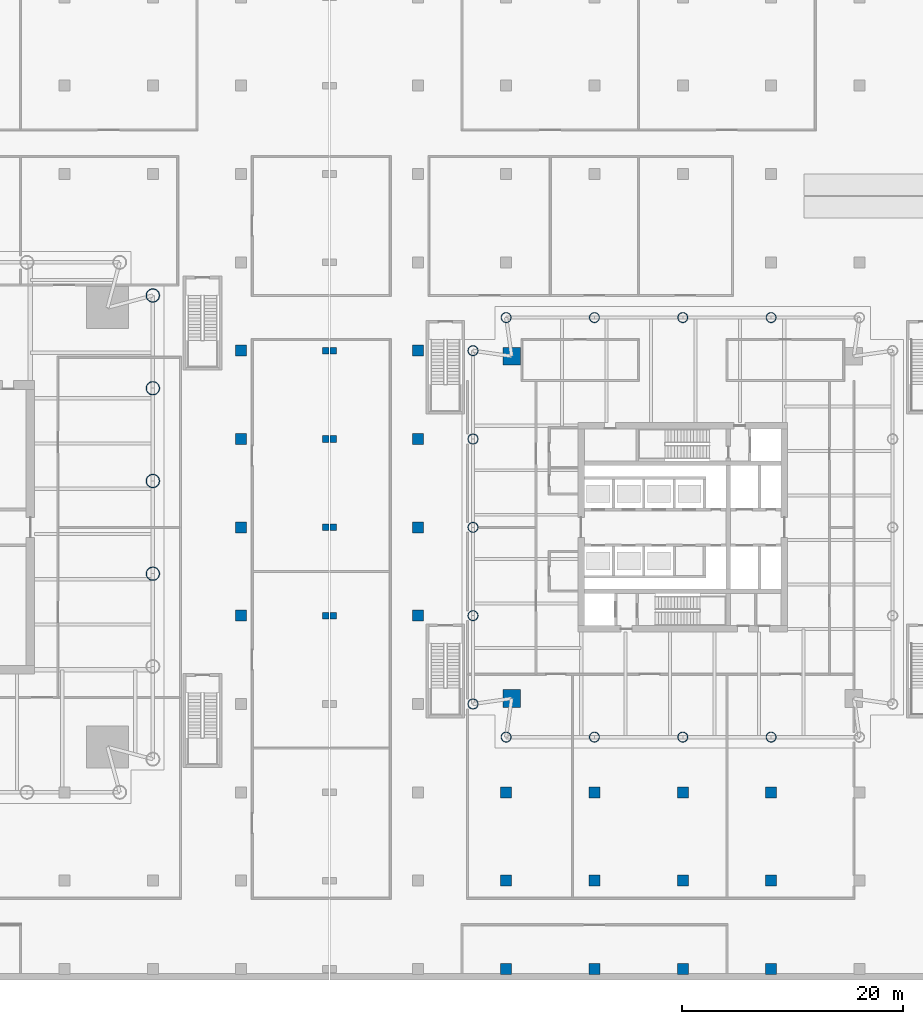
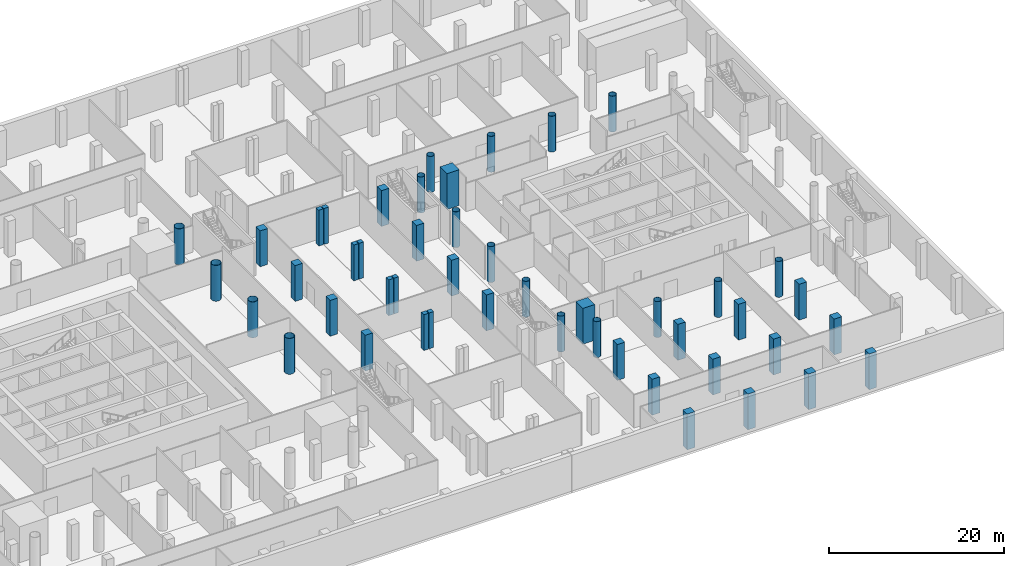
# One storey, part 2 of 22: 47 columns.
"""IFC4 building model written with IfcOpenShell, lengths in metres."""

from ifc_helpers import new_model, si_unit, direction, frame, origin, origin_2d, place, context, subcontext, project, spatial, rectangle, hollow_circle, extrude, material, material_profile, profile_set, type_object, element, save


model = new_model("IFC4")

# Units and contexts
model_context = context("Model", 3, precision=1e-05, world=origin(), true_north=direction((0.0, 1.0)))
body_context = subcontext(model_context, "Body", "Model", "MODEL_VIEW")
ifc_project = project(units=[si_unit("LENGTHUNIT", "METRE"), si_unit("AREAUNIT", "SQUARE_METRE"), si_unit("VOLUMEUNIT", "CUBIC_METRE"), si_unit("PLANEANGLEUNIT", "RADIAN"), si_unit("MASSUNIT", "GRAM", prefix="KILO")], contexts=[model_context])

# Site, building, storey
site_placement = place(None, origin())
site = spatial("IfcSite", under=ifc_project, at=site_placement, CompositionType="ELEMENT")
building_placement = place(site_placement, origin())
building = spatial("IfcBuilding", under=site, at=building_placement, Name="Ostroluk Exchange", CompositionType="ELEMENT")
storey_placement = place(building_placement, frame((0.0, 0.0, -5.0)))
storey = spatial("IfcBuildingStorey", under=building, at=storey_placement, Name="B1", CompositionType="ELEMENT", Elevation=-5.0)

# Columns
ifc_material_1 = material(Name="Concrete C50/60", Category="concrete")
ifc_material_profile_1 = material_profile(ifc_material_1, rectangle(XDim=1.60009765625, YDim=1.60009765625, at=origin_2d()), Name="RC 1600x1600")
ifc_profile_set_1 = profile_set([ifc_material_profile_1], Name="Concrete C50/60")
column_type_1 = type_object("IfcColumnType", Name="Mega column RC 1600x1600", PredefinedType="COLUMN", material=ifc_profile_set_1)
for number, where, z_axis, x_axis, name in (
    (1, (101.5, 61.5, 0.0), (0.0, 0.0, 1.0), (1.0, 0.0, 0.0), "T2 mega column NW"),
    (2, (101.5, 30.5, 0.0), (0.0, 0.0, 1.0), (1.0, 0.0, 0.0), "T2 mega column SW"),
):
    element("IfcColumn", number, at=place(storey_placement, frame(where, z_axis=z_axis, x_axis=x_axis)), inside=storey, type_object=column_type_1, Name=name, PredefinedType="COLUMN", context=body_context, shape_type="SweptSolid", body=[
        extrude(rectangle(XDim=1.60009765625, YDim=1.60009765625, at=origin_2d()), origin(), (0.0, 0.0, 1.0), 5.0),
    ])
ifc_material_2 = material(Name="Steel S460", Category="steel")
ifc_material_profile_2 = material_profile(ifc_material_2, hollow_circle(Radius=0.609619140625, WallThickness=0.0400390625, at=origin_2d()), Name="CHS 1219x40")
ifc_profile_set_2 = profile_set([ifc_material_profile_2], Name="Steel S460")
column_type_2 = type_object("IfcColumnType", Name="Perimeter column CHS 1219x40", PredefinedType="COLUMN", material=ifc_profile_set_2)
for number, where, z_axis, x_axis, name in (
    (3, (69.0, 67.0, 0.0), (0.0, 0.0, 1.0), (1.0, 0.0, 0.0), "T1 east face column E1"),
    (4, (69.0, 41.800048828125, 0.0), (0.0, 0.0, 1.0), (1.0, 0.0, 0.0), "T1 east face column I2"),
    (5, (69.0, 50.199951171875, 0.0), (0.0, 0.0, 1.0), (1.0, 0.0, 0.0), "T1 east face column I3"),
    (6, (69.0, 58.60009765625, 0.0), (0.0, 0.0, 1.0), (1.0, 0.0, 0.0), "T1 east face column I4"),
):
    element("IfcColumn", number, at=place(storey_placement, frame(where, z_axis=z_axis, x_axis=x_axis)), inside=storey, type_object=column_type_2, Name=name, PredefinedType="COLUMN", context=body_context, shape_type="SweptSolid", body=[
        extrude(hollow_circle(Radius=0.609619140625, WallThickness=0.0400390625, at=origin_2d()), origin(), (0.0, 0.0, 1.0), 5.0),
    ])
ifc_material_3 = material(Name="Steel S460", Category="steel")
ifc_material_profile_3 = material_profile(ifc_material_3, hollow_circle(Radius=0.45703125, WallThickness=0.030029296875, at=origin_2d()), Name="CHS 914x30")
ifc_profile_set_3 = profile_set([ifc_material_profile_3], Name="Steel S460")
column_type_3 = type_object("IfcColumnType", Name="Perimeter column CHS 914x30", PredefinedType="COLUMN", material=ifc_profile_set_3)
for number, where, z_axis, x_axis, name in (
    (7, (101.0, 65.0, 0.0), (0.0, 0.0, 1.0), (1.0, 0.0, 0.0), "T2 north face column E1"),
    (8, (125.0, 65.0, 0.0), (0.0, 0.0, 1.0), (1.0, 0.0, 0.0), "T2 north face column I1"),
    (9, (117.0, 65.0, 0.0), (0.0, 0.0, 1.0), (1.0, 0.0, 0.0), "T2 north face column I2"),
    (10, (109.0, 65.0, 0.0), (0.0, 0.0, 1.0), (1.0, 0.0, 0.0), "T2 north face column I3"),
    (11, (98.0, 62.0, 0.0), (0.0, 0.0, 1.0), (1.0, 0.0, 0.0), "T2 west face column E0"),
    (12, (98.0, 30.0, 0.0), (0.0, 0.0, 1.0), (1.0, 0.0, 0.0), "T2 west face column E1"),
    (13, (98.0, 54.0, 0.0), (0.0, 0.0, 1.0), (1.0, 0.0, 0.0), "T2 west face column I1"),
    (14, (98.0, 46.0, 0.0), (0.0, 0.0, 1.0), (1.0, 0.0, 0.0), "T2 west face column I2"),
    (15, (98.0, 38.0, 0.0), (0.0, 0.0, 1.0), (1.0, 0.0, 0.0), "T2 west face column I3"),
    (16, (101.0, 27.0, 0.0), (0.0, 0.0, 1.0), (1.0, 0.0, 0.0), "T2 south face column E0"),
    (17, (109.0, 27.0, 0.0), (0.0, 0.0, 1.0), (1.0, 0.0, 0.0), "T2 south face column I1"),
    (18, (117.0, 27.0, 0.0), (0.0, 0.0, 1.0), (1.0, 0.0, 0.0), "T2 south face column I2"),
    (19, (125.0, 27.0, 0.0), (0.0, 0.0, 1.0), (1.0, 0.0, 0.0), "T2 south face column I3"),
):
    element("IfcColumn", number, at=place(storey_placement, frame(where, z_axis=z_axis, x_axis=x_axis)), inside=storey, type_object=column_type_3, Name=name, PredefinedType="COLUMN", context=body_context, shape_type="SweptSolid", body=[
        extrude(hollow_circle(Radius=0.45703125, WallThickness=0.030029296875, at=origin_2d()), origin(), (0.0, 0.0, 1.0), 5.0),
    ])
ifc_material_4 = material(Name="Concrete C50/60", Category="concrete")
ifc_material_profile_4 = material_profile(ifc_material_4, rectangle(XDim=1.0, YDim=1.0, at=origin_2d()), Name="RC 1000x1000")
ifc_profile_set_4 = profile_set([ifc_material_profile_4], Name="Concrete C50/60")
column_type_4 = type_object("IfcColumnType", Name="Podium column RC 1000x1000", PredefinedType="COLUMN", material=ifc_profile_set_4)
for number, where, z_axis, x_axis, name in (
    (20, (77.0, 38.0, 0.0), (0.0, 0.0, 1.0), (1.0, 0.0, 0.0), "Podium column 77/38"),
    (21, (77.0, 46.0, 0.0), (0.0, 0.0, 1.0), (1.0, 0.0, 0.0), "Podium column 77/46"),
    (22, (77.0, 54.0, 0.0), (0.0, 0.0, 1.0), (1.0, 0.0, 0.0), "Podium column 77/54"),
    (23, (77.0, 62.0, 0.0), (0.0, 0.0, 1.0), (1.0, 0.0, 0.0), "Podium column 77/62"),
    (24, (93.0, 38.0, 0.0), (0.0, 0.0, 1.0), (1.0, 0.0, 0.0), "Podium column 93/38"),
    (25, (93.0, 46.0, 0.0), (0.0, 0.0, 1.0), (1.0, 0.0, 0.0), "Podium column 93/46"),
    (26, (93.0, 54.0, 0.0), (0.0, 0.0, 1.0), (1.0, 0.0, 0.0), "Podium column 93/54"),
    (27, (93.0, 62.0, 0.0), (0.0, 0.0, 1.0), (1.0, 0.0, 0.0), "Podium column 93/62"),
    (28, (101.0, 6.0, 0.0), (0.0, 0.0, 1.0), (1.0, 0.0, 0.0), "Podium column 101/6"),
    (29, (101.0, 14.0, 0.0), (0.0, 0.0, 1.0), (1.0, 0.0, 0.0), "Podium column 101/14"),
    (30, (101.0, 22.0, 0.0), (0.0, 0.0, 1.0), (1.0, 0.0, 0.0), "Podium column 101/22"),
    (31, (109.0, 6.0, 0.0), (0.0, 0.0, 1.0), (1.0, 0.0, 0.0), "Podium column 109/6"),
    (32, (109.0, 14.0, 0.0), (0.0, 0.0, 1.0), (1.0, 0.0, 0.0), "Podium column 109/14"),
    (33, (109.0, 22.0, 0.0), (0.0, 0.0, 1.0), (1.0, 0.0, 0.0), "Podium column 109/22"),
    (34, (117.0, 6.0, 0.0), (0.0, 0.0, 1.0), (1.0, 0.0, 0.0), "Podium column 117/6"),
    (35, (117.0, 14.0, 0.0), (0.0, 0.0, 1.0), (1.0, 0.0, 0.0), "Podium column 117/14"),
    (36, (117.0, 22.0, 0.0), (0.0, 0.0, 1.0), (1.0, 0.0, 0.0), "Podium column 117/22"),
    (37, (125.0, 6.0, 0.0), (0.0, 0.0, 1.0), (1.0, 0.0, 0.0), "Podium column 125/6"),
    (38, (125.0, 14.0, 0.0), (0.0, 0.0, 1.0), (1.0, 0.0, 0.0), "Podium column 125/14"),
    (39, (125.0, 22.0, 0.0), (0.0, 0.0, 1.0), (1.0, 0.0, 0.0), "Podium column 125/22"),
):
    element("IfcColumn", number, at=place(storey_placement, frame(where, z_axis=z_axis, x_axis=x_axis)), inside=storey, type_object=column_type_4, Name=name, PredefinedType="COLUMN", context=body_context, shape_type="SweptSolid", body=[
        extrude(rectangle(XDim=1.0, YDim=1.0, at=origin_2d()), origin(), (0.0, 0.0, 1.0), 5.0),
    ])
ifc_material_5 = material(Name="Concrete C50/60", Category="concrete")
ifc_material_profile_5 = material_profile(ifc_material_5, rectangle(XDim=0.60009765625, YDim=0.60009765625, at=origin_2d()), Name="RC 600x600")
ifc_profile_set_5 = profile_set([ifc_material_profile_5], Name="Concrete C50/60")
column_type_5 = type_object("IfcColumnType", Name="Podium column RC 600x600", PredefinedType="COLUMN", material=ifc_profile_set_5)
for number, where, z_axis, x_axis, name in (
    (40, (84.64990234375, 38.0, 0.0), (0.0, 0.0, 1.0), (1.0, 0.0, 0.0), "Podium column 85W/38"),
    (41, (85.35009765625, 38.0, 0.0), (0.0, 0.0, 1.0), (1.0, 0.0, 0.0), "Podium column 85E/38"),
    (42, (84.64990234375, 46.0, 0.0), (0.0, 0.0, 1.0), (1.0, 0.0, 0.0), "Podium column 85W/46"),
    (43, (85.35009765625, 46.0, 0.0), (0.0, 0.0, 1.0), (1.0, 0.0, 0.0), "Podium column 85E/46"),
    (44, (84.64990234375, 54.0, 0.0), (0.0, 0.0, 1.0), (1.0, 0.0, 0.0), "Podium column 85W/54"),
    (45, (85.35009765625, 54.0, 0.0), (0.0, 0.0, 1.0), (1.0, 0.0, 0.0), "Podium column 85E/54"),
    (46, (84.64990234375, 62.0, 0.0), (0.0, 0.0, 1.0), (1.0, 0.0, 0.0), "Podium column 85W/62"),
    (47, (85.35009765625, 62.0, 0.0), (0.0, 0.0, 1.0), (1.0, 0.0, 0.0), "Podium column 85E/62"),
):
    element("IfcColumn", number, at=place(storey_placement, frame(where, z_axis=z_axis, x_axis=x_axis)), inside=storey, type_object=column_type_5, Name=name, PredefinedType="COLUMN", context=body_context, shape_type="SweptSolid", body=[
        extrude(rectangle(XDim=0.60009765625, YDim=0.60009765625, at=origin_2d()), origin(), (0.0, 0.0, 1.0), 5.0),
    ])

save(model, "model.ifc")
